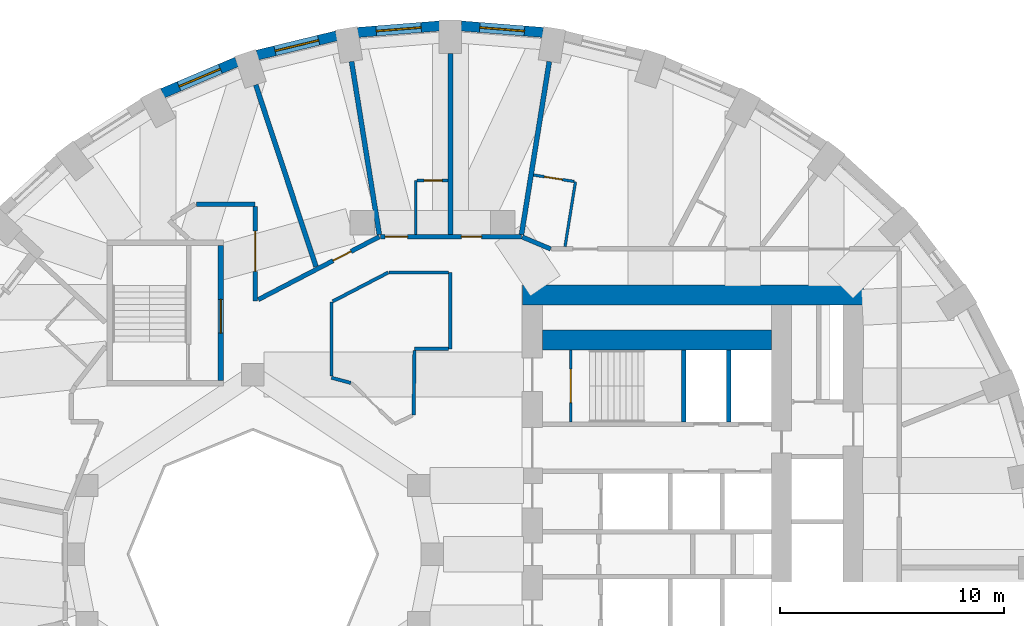
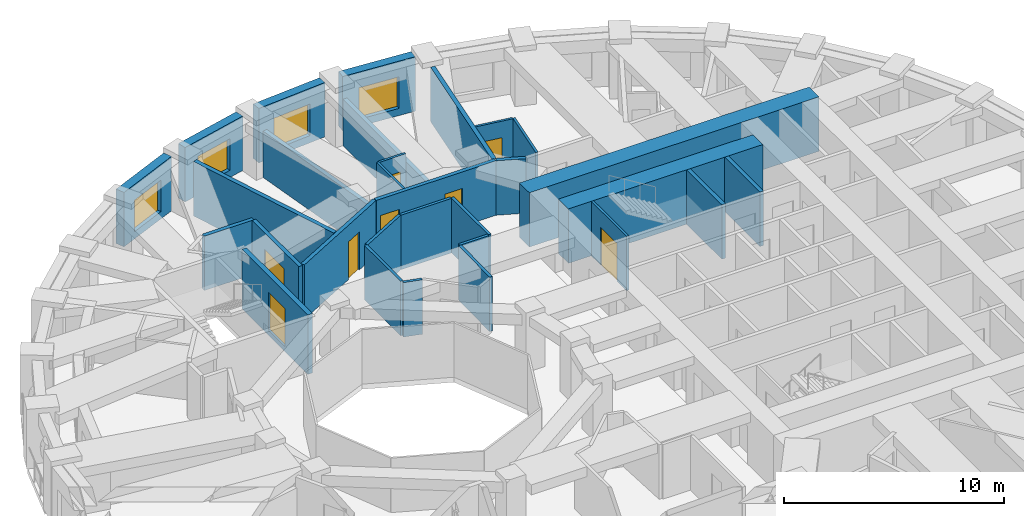
# One storey, part 8 of 13: 30 walls, 8 doors, 4 windows, 12 openings.
"""IFC4 building model written with IfcOpenShell, lengths in metres."""

from ifc_helpers import new_model, si_unit, direction, frame, frame_2d, origin, place, context, subcontext, project, spatial, rectangle, extrude, material, layer, layer_set, type_object, element, fill, save


model = new_model("IFC4")

# Units and contexts
model_context = context("Model", 3, precision=1e-05, world=origin(), true_north=direction((0.0, 1.0)))
body_context = subcontext(model_context, "Body", "Model", "MODEL_VIEW")
ifc_project = project(units=[si_unit("LENGTHUNIT", "METRE"), si_unit("AREAUNIT", "SQUARE_METRE"), si_unit("VOLUMEUNIT", "CUBIC_METRE"), si_unit("PLANEANGLEUNIT", "RADIAN"), si_unit("MASSUNIT", "GRAM", prefix="KILO")], contexts=[model_context])

# Site, building, storey
site_placement = place(None, origin())
site = spatial("IfcSite", under=ifc_project, at=site_placement, CompositionType="ELEMENT")
building_placement = place(site_placement, origin())
building = spatial("IfcBuilding", under=site, at=building_placement, Name="Taillehof Tower", CompositionType="ELEMENT")
storey_placement = place(building_placement, frame((0.0, 0.0, 108.699951171875)))
storey = spatial("IfcBuildingStorey", under=building, at=storey_placement, Name="L30", CompositionType="ELEMENT", Elevation=108.699951171875)

# Wall, opening, window
ifc_material_1 = material(Name="Brick masonry", Category="masonry")
ifc_layer_1 = layer(ifc_material_1, 0.449951171875)
ifc_layer_set_1 = layer_set([ifc_layer_1], Name="Brick infill wall 450")
wall_type_1 = type_object("IfcWallType", Name="Brick infill wall 450", PredefinedType="SOLIDWALL", material=ifc_layer_set_1)
wall_1_placement = place(storey_placement, frame((4.926513671875, 23.24658203125, 0.0), z_axis=(0.0, 0.0, 1.0), x_axis=(-0.996862216754, 0.079156306178, 0.0)))
wall_1 = element("IfcWall", 1, at=wall_1_placement, inside=storey, type_object=wall_type_1, Name="Brick wall L30 bay 9", PredefinedType="SOLIDWALL", context=body_context, shape_type="SweptSolid", body=[
    extrude(rectangle(XDim=3.657958984375, YDim=0.449951171875, at=frame_2d((1.8291015625, 0.0))), origin(), (0.0, 0.0, 1.0), 3.02001953125),
])
opening_1_placement = place(wall_1_placement, frame((0.8291015625, 0.0, 0.39990234375)))
opening_1 = element("IfcOpeningElement", 2, at=opening_1_placement, cuts=wall_1, Name="Opening W2", PredefinedType="OPENING", context=body_context, shape_type="SweptSolid", body=[
    extrude(rectangle(XDim=2.0, YDim=1.75, at=frame_2d((1.0, 0.875))), frame((0.0, 0.23486328125, 0.0), z_axis=(0.0, -1.0, 0.0), x_axis=(1.0, 0.0, 0.0)), (0.0, 0.0, 1.0), 0.469970703125),
])
ifc_material_2 = material(Name="Aluminium window frame with clear double glazing", Category="aluminium")
window_type = type_object("IfcWindowType", Name="Deep-set window 2000x1750", PartitioningType="SINGLE_PANEL", PredefinedType="WINDOW", material=ifc_material_2)
window_1_placement = place(opening_1_placement, origin())
window_1 = element("IfcWindow", 3, at=window_1_placement, inside=storey, type_object=window_type, Name="W2", OverallHeight=1.75, OverallWidth=2.0, PartitioningType="SINGLE_PANEL", PredefinedType="WINDOW", context=body_context, shape_type="SweptSolid", body=[
    extrude(rectangle(XDim=2.0, YDim=1.75, at=frame_2d((1.0, 0.875))), frame((0.0, 0.034912109375, 0.0), z_axis=(0.0, -1.0, 0.0), x_axis=(1.0, 0.0, 0.0)), (0.0, 0.0, 1.0), 0.06005859375),
])
fill(opening_1, window_1)

wall_2_placement = place(storey_placement, frame((0.31982421875, 23.5361328125, 0.0), z_axis=(0.0, 0.0, 1.0), x_axis=(-0.996862216754, -0.079156306178, 0.0)))
wall_2 = element("IfcWall", 4, at=wall_2_placement, inside=storey, type_object=wall_type_1, Name="Brick wall L30 bay 10", PredefinedType="SOLIDWALL", context=body_context, shape_type="SweptSolid", body=[
    extrude(rectangle(XDim=3.657958984375, YDim=0.449951171875, at=frame_2d((1.8291015625, 0.0))), origin(), (0.0, 0.0, 1.0), 3.02001953125),
])
opening_2_placement = place(wall_2_placement, frame((0.8291015625, 0.0, 0.39990234375)))
opening_2 = element("IfcOpeningElement", 5, at=opening_2_placement, cuts=wall_2, Name="Opening W2", PredefinedType="OPENING", context=body_context, shape_type="SweptSolid", body=[
    extrude(rectangle(XDim=2.0, YDim=1.75, at=frame_2d((1.0, 0.875))), frame((0.0, 0.23486328125, 0.0), z_axis=(0.0, -1.0, 0.0), x_axis=(1.0, 0.0, 0.0)), (0.0, 0.0, 1.0), 0.469970703125),
])
window_2_placement = place(opening_2_placement, origin())
window_2 = element("IfcWindow", 6, at=window_2_placement, inside=storey, type_object=window_type, Name="W2", OverallHeight=1.75, OverallWidth=2.0, PartitioningType="SINGLE_PANEL", PredefinedType="WINDOW", context=body_context, shape_type="SweptSolid", body=[
    extrude(rectangle(XDim=2.0, YDim=1.75, at=frame_2d((1.0, 0.875))), frame((0.0, 0.034912109375, 0.0), z_axis=(0.0, -1.0, 0.0), x_axis=(1.0, 0.0, 0.0)), (0.0, 0.0, 1.0), 0.06005859375),
])
fill(opening_2, window_2)

wall_3_placement = place(storey_placement, frame((-4.274658203125, 23.094482421875, 0.0), z_axis=(0.0, 0.0, 1.0), x_axis=(-0.971667603162, -0.236351579148, 0.0)))
wall_3 = element("IfcWall", 7, at=wall_3_placement, inside=storey, type_object=wall_type_1, Name="Brick wall L30 bay 11", PredefinedType="SOLIDWALL", context=body_context, shape_type="SweptSolid", body=[
    extrude(rectangle(XDim=3.635009765625, YDim=0.449951171875, at=frame_2d((1.8173828125, 0.0))), origin(), (0.0, 0.0, 1.0), 3.02001953125),
])
opening_3_placement = place(wall_3_placement, frame((0.8173828125, 0.0, 0.39990234375)))
opening_3 = element("IfcOpeningElement", 8, at=opening_3_placement, cuts=wall_3, Name="Opening W2", PredefinedType="OPENING", context=body_context, shape_type="SweptSolid", body=[
    extrude(rectangle(XDim=2.0, YDim=1.75, at=frame_2d((1.0, 0.875))), frame((0.0, 0.23486328125, 0.0), z_axis=(0.0, -1.0, 0.0), x_axis=(1.0, 0.0, 0.0)), (0.0, 0.0, 1.0), 0.469970703125),
])
window_3_placement = place(opening_3_placement, origin())
window_3 = element("IfcWindow", 9, at=window_3_placement, inside=storey, type_object=window_type, Name="W2", OverallHeight=1.75, OverallWidth=2.0, PartitioningType="SINGLE_PANEL", PredefinedType="WINDOW", context=body_context, shape_type="SweptSolid", body=[
    extrude(rectangle(XDim=2.0, YDim=1.75, at=frame_2d((1.0, 0.875))), frame((0.0, 0.034912109375, 0.0), z_axis=(0.0, -1.0, 0.0), x_axis=(1.0, 0.0, 0.0)), (0.0, 0.0, 1.0), 0.06005859375),
])
fill(opening_3, window_3)

wall_4_placement = place(storey_placement, frame((-8.718017578125, 21.93359375, 0.0), z_axis=(0.0, 0.0, 1.0), x_axis=(-0.920879975612, -0.389846213932, 0.0)))
wall_4 = element("IfcWall", 10, at=wall_4_placement, inside=storey, type_object=wall_type_1, Name="Brick wall L30 bay 12", PredefinedType="SOLIDWALL", context=body_context, shape_type="SweptSolid", body=[
    extrude(rectangle(XDim=3.591552734375, YDim=0.449951171875, at=frame_2d((1.7958984375, 0.0))), origin(), (0.0, 0.0, 1.0), 3.02001953125),
])
opening_4_placement = place(wall_4_placement, frame((0.795654296875, 0.0, 0.39990234375)))
opening_4 = element("IfcOpeningElement", 11, at=opening_4_placement, cuts=wall_4, Name="Opening W2", PredefinedType="OPENING", context=body_context, shape_type="SweptSolid", body=[
    extrude(rectangle(XDim=2.0, YDim=1.75, at=frame_2d((1.0, 0.875))), frame((0.0, 0.23486328125, 0.0), z_axis=(0.0, -1.0, 0.0), x_axis=(1.0, 0.0, 0.0)), (0.0, 0.0, 1.0), 0.469970703125),
])
window_4_placement = place(opening_4_placement, origin())
window_4 = element("IfcWindow", 12, at=window_4_placement, inside=storey, type_object=window_type, Name="W2", OverallHeight=1.75, OverallWidth=2.0, PartitioningType="SINGLE_PANEL", PredefinedType="WINDOW", context=body_context, shape_type="SweptSolid", body=[
    extrude(rectangle(XDim=2.0, YDim=1.75, at=frame_2d((1.0, 0.875))), frame((0.0, 0.034912109375, 0.0), z_axis=(0.0, -1.0, 0.0), x_axis=(1.0, 0.0, 0.0)), (0.0, 0.0, 1.0), 0.06005859375),
])
fill(opening_4, window_4)

# Wall
ifc_material_3 = material(Name="Gypsum board on steel studs, two layers each side", Category="steel")
ifc_layer_2 = layer(ifc_material_3, 0.199951171875)
ifc_layer_set_2 = layer_set([ifc_layer_2], Name="Compartment wall corridor 200")
wall_type_2 = type_object("IfcWallType", Name="Compartment wall corridor 200", PredefinedType="PARTITIONING", material=ifc_layer_set_2)
wall_5_placement = place(storey_placement, frame((-10.508544921875, 15.60009765625, 0.0), z_axis=(0.0, 0.0, 1.0), x_axis=(1.0, 0.0, 0.0)))
element("IfcWall", 13, at=wall_5_placement, inside=storey, type_object=wall_type_2, Name="Compartment wall", PredefinedType="PARTITIONING", context=body_context, shape_type="SweptSolid", body=[
    extrude(rectangle(XDim=2.608642578125, YDim=0.199951171875, at=frame_2d((1.30419921875, 0.0))), origin(), (0.0, 0.0, 1.0), 3.02001953125),
])

# Wall, opening, door
wall_6_placement = place(storey_placement, frame((-7.89990234375, 15.5, 0.0), z_axis=(0.0, 0.0, 1.0), x_axis=(0.0, -1.0, 0.0)))
wall_6 = element("IfcWall", 14, at=wall_6_placement, inside=storey, type_object=wall_type_2, Name="Compartment wall", PredefinedType="PARTITIONING", context=body_context, shape_type="SweptSolid", body=[
    extrude(rectangle(XDim=4.22998046875, YDim=0.199951171875, at=frame_2d((2.114990234375, 0.0))), origin(), (0.0, 0.0, 1.0), 3.02001953125),
])
opening_5_placement = place(wall_6_placement, frame((1.1044921875, 0.0, 0.0)))
opening_5 = element("IfcOpeningElement", 15, at=opening_5_placement, cuts=wall_6, Name="Opening D3048", PredefinedType="OPENING", context=body_context, shape_type="SweptSolid", body=[
    extrude(rectangle(XDim=1.800048828125, YDim=2.10009765625, at=frame_2d((0.89990234375, 1.050048828125))), frame((0.0, 0.10986328125, 0.0), z_axis=(0.0, -1.0, 0.0), x_axis=(1.0, 0.0, 0.0)), (0.0, 0.0, 1.0), 0.219970703125),
])
ifc_material_4 = material(Name="Timber door leaf in steel frame", Category="steel")
door_type_1 = type_object("IfcDoorType", Name="Lounge and meeting room double door EI 30 1800 x 2100", OperationType="SINGLE_SWING_LEFT", PredefinedType="DOOR", material=ifc_material_4)
door_1_placement = place(opening_5_placement, origin())
door_1 = element("IfcDoor", 16, at=door_1_placement, inside=storey, type_object=door_type_1, Name="D3048", OperationType="DOUBLE_DOOR_SINGLE_SWING", OverallHeight=2.10009765625, OverallWidth=1.800048828125, PredefinedType="DOOR", context=body_context, shape_type="SweptSolid", body=[
    extrude(rectangle(XDim=1.800048828125, YDim=2.10009765625, at=frame_2d((0.89990234375, 1.050048828125))), frame((0.0, 0.02490234375, 0.0), z_axis=(0.0, -1.0, 0.0), x_axis=(1.0, 0.0, 0.0)), (0.0, 0.0, 1.0), 0.050048828125),
])
fill(opening_5, door_1)

wall_7_placement = place(storey_placement, frame((-7.75732421875, 11.34423828125, 0.0), z_axis=(0.0, 0.0, 1.0), x_axis=(0.887263483993, 0.461262951008, 0.0)))
wall_7 = element("IfcWall", 17, at=wall_7_placement, inside=storey, type_object=wall_type_2, Name="Compartment wall", PredefinedType="PARTITIONING", context=body_context, shape_type="SweptSolid", body=[
    extrude(rectangle(XDim=6.078857421875, YDim=0.199951171875, at=frame_2d((3.03955078125, 0.0))), origin(), (0.0, 0.0, 1.0), 3.02001953125),
])
opening_6_placement = place(wall_7_placement, frame((3.75048828125, 0.0, 0.0)))
opening_6 = element("IfcOpeningElement", 18, at=opening_6_placement, cuts=wall_7, Name="Opening D3047", PredefinedType="OPENING", context=body_context, shape_type="SweptSolid", body=[
    extrude(rectangle(XDim=0.89990234375, YDim=2.10009765625, at=frame_2d((0.449951171875, 1.050048828125))), frame((0.0, 0.10986328125, 0.0), z_axis=(0.0, -1.0, 0.0), x_axis=(1.0, 0.0, 0.0)), (0.0, 0.0, 1.0), 0.219970703125),
])
ifc_material_5 = material(Name="Timber door leaf in steel frame", Category="steel")
door_type_2 = type_object("IfcDoorType", Name="Service room door EI 30 900 x 2100", OperationType="SINGLE_SWING_LEFT", PredefinedType="DOOR", material=ifc_material_5)
door_2_placement = place(opening_6_placement, origin())
door_2 = element("IfcDoor", 19, at=door_2_placement, inside=storey, type_object=door_type_2, Name="D3047", OperationType="SINGLE_SWING_LEFT", OverallHeight=2.10009765625, OverallWidth=0.89990234375, PredefinedType="DOOR", context=body_context, shape_type="SweptSolid", body=[
    extrude(rectangle(XDim=0.89990234375, YDim=2.10009765625, at=frame_2d((0.449951171875, 1.050048828125))), frame((0.0, 0.02490234375, 0.0), z_axis=(0.0, -1.0, 0.0), x_axis=(1.0, 0.0, 0.0)), (0.0, 0.0, 1.0), 0.050048828125),
])
fill(opening_6, door_2)

# Wall, openings, doors
wall_8_placement = place(storey_placement, frame((-2.32373046875, 14.148193359375, 0.0), z_axis=(0.0, 0.0, 1.0), x_axis=(1.0, 0.0, 0.0)))
wall_8 = element("IfcWall", 20, at=wall_8_placement, inside=storey, type_object=wall_type_2, Name="Compartment wall", PredefinedType="PARTITIONING", context=body_context, shape_type="SweptSolid", body=[
    extrude(rectangle(XDim=6.28759765625, YDim=0.199951171875, at=frame_2d((3.143798828125, 0.0))), origin(), (0.0, 0.0, 1.0), 3.02001953125),
])
opening_7_placement = place(wall_8_placement, frame((3.61669921875, 0.0, 0.0)))
opening_7 = element("IfcOpeningElement", 21, at=opening_7_placement, cuts=wall_8, Name="Opening D3044", PredefinedType="OPENING", context=body_context, shape_type="SweptSolid", body=[
    extrude(rectangle(XDim=0.89990234375, YDim=2.10009765625, at=frame_2d((0.449951171875, 1.050048828125))), frame((0.0, 0.10986328125, 0.0), z_axis=(0.0, -1.0, 0.0), x_axis=(1.0, 0.0, 0.0)), (0.0, 0.0, 1.0), 0.219970703125),
])
opening_8_placement = place(wall_8_placement, frame((0.219970703125, 0.0, 0.0)))
opening_8 = element("IfcOpeningElement", 22, at=opening_8_placement, cuts=wall_8, Name="Opening D3045", PredefinedType="OPENING", context=body_context, shape_type="SweptSolid", body=[
    extrude(rectangle(XDim=1.0, YDim=2.10009765625, at=frame_2d((0.5, 1.050048828125))), frame((0.0, 0.10986328125, 0.0), z_axis=(0.0, -1.0, 0.0), x_axis=(1.0, 0.0, 0.0)), (0.0, 0.0, 1.0), 0.219970703125),
])
ifc_material_6 = material(Name="Timber door leaf in steel frame", Category="steel")
door_type_3 = type_object("IfcDoorType", Name="Guest room door EI 30 1000 x 2100", OperationType="SINGLE_SWING_LEFT", PredefinedType="DOOR", material=ifc_material_6)
door_3_placement = place(opening_8_placement, origin())
door_3 = element("IfcDoor", 23, at=door_3_placement, inside=storey, type_object=door_type_3, Name="D3045", OperationType="SINGLE_SWING_LEFT", OverallHeight=2.10009765625, OverallWidth=1.0, PredefinedType="DOOR", context=body_context, shape_type="SweptSolid", body=[
    extrude(rectangle(XDim=1.0, YDim=2.10009765625, at=frame_2d((0.5, 1.050048828125))), frame((0.0, 0.02490234375, 0.0), z_axis=(0.0, -1.0, 0.0), x_axis=(1.0, 0.0, 0.0)), (0.0, 0.0, 1.0), 0.050048828125),
])
fill(opening_8, door_3)
door_4_placement = place(opening_7_placement, origin())
door_4 = element("IfcDoor", 24, at=door_4_placement, inside=storey, type_object=door_type_2, Name="D3044", OperationType="SINGLE_SWING_LEFT", OverallHeight=2.10009765625, OverallWidth=0.89990234375, PredefinedType="DOOR", context=body_context, shape_type="SweptSolid", body=[
    extrude(rectangle(XDim=0.89990234375, YDim=2.10009765625, at=frame_2d((0.449951171875, 1.050048828125))), frame((0.0, 0.02490234375, 0.0), z_axis=(0.0, -1.0, 0.0), x_axis=(1.0, 0.0, 0.0)), (0.0, 0.0, 1.0), 0.050048828125),
])
fill(opening_7, door_4)

# Walls
wall_9_placement = place(storey_placement, frame((4.00048828125, 14.132568359375, 0.0), z_axis=(0.0, 0.0, 1.0), x_axis=(0.921370144432, -0.388686322051, 0.0)))
element("IfcWall", 25, at=wall_9_placement, inside=storey, type_object=wall_type_2, Name="Compartment wall", PredefinedType="PARTITIONING", context=body_context, shape_type="SweptSolid", body=[
    extrude(rectangle(XDim=1.369873046875, YDim=0.199951171875, at=frame_2d((0.68505859375, 0.0))), origin(), (0.0, 0.0, 1.0), 3.02001953125),
])
ifc_material_7 = material(Name="Gypsum board on double steel studs with mineral wool", Category="steel")
ifc_layer_3 = layer(ifc_material_7, 0.219970703125)
ifc_layer_set_3 = layer_set([ifc_layer_3], Name="Compartment wall guest room 220")
wall_type_3 = type_object("IfcWallType", Name="Compartment wall guest room 220", PredefinedType="PARTITIONING", material=ifc_layer_set_3)
wall_10_placement = place(storey_placement, frame((5.20458984375, 21.9501953125, 0.0), z_axis=(0.0, 0.0, 1.0), x_axis=(-0.158499016873, -0.987359135092, 0.0)))
element("IfcWall", 26, at=wall_10_placement, inside=storey, type_object=wall_type_3, Name="Compartment wall", PredefinedType="PARTITIONING", context=body_context, shape_type="SweptSolid", body=[
    extrude(rectangle(XDim=7.807861328125, YDim=0.219970703125, at=frame_2d((3.90380859375, 0.0))), origin(), (0.0, 0.0, 1.0), 3.02001953125),
])
wall_11_placement = place(storey_placement, frame((0.800048828125, 22.300048828125, 0.0), z_axis=(0.0, 0.0, 1.0), x_axis=(0.0, -1.0, 0.0)))
element("IfcWall", 27, at=wall_11_placement, inside=storey, type_object=wall_type_3, Name="Compartment wall", PredefinedType="PARTITIONING", context=body_context, shape_type="SweptSolid", body=[
    extrude(rectangle(XDim=8.0517578125, YDim=0.219970703125, at=frame_2d((4.02587890625, 0.0))), origin(), (0.0, 0.0, 1.0), 2.570068359375),
])
wall_12_placement = place(storey_placement, frame((-3.604736328125, 21.9501953125, 0.0), z_axis=(0.0, 0.0, 1.0), x_axis=(0.158529499426, -0.987354241299, 0.0)))
element("IfcWall", 28, at=wall_12_placement, inside=storey, type_object=wall_type_3, Name="Compartment wall", PredefinedType="PARTITIONING", context=body_context, shape_type="SweptSolid", body=[
    extrude(rectangle(XDim=7.807861328125, YDim=0.219970703125, at=frame_2d((3.90380859375, 0.0))), origin(), (0.0, 0.0, 1.0), 2.570068359375),
])
wall_13_placement = place(storey_placement, frame((-7.873779296875, 20.911865234375, 0.0), z_axis=(0.0, 0.0, 1.0), x_axis=(0.314561749761, -0.949237012335, 0.0)))
element("IfcWall", 29, at=wall_13_placement, inside=storey, type_object=wall_type_3, Name="Compartment wall", PredefinedType="PARTITIONING", context=body_context, shape_type="SweptSolid", body=[
    extrude(rectangle(XDim=8.53125, YDim=0.219970703125, at=frame_2d((4.265625, 0.0))), origin(), (0.0, 0.0, 1.0), 3.02001953125),
])
ifc_material_8 = material(Name="Gypsum board on steel studs, two layers each side", Category="steel")
ifc_layer_4 = layer(ifc_material_8, 0.14990234375)
ifc_layer_set_4 = layer_set([ifc_layer_4], Name="Compartment wall service room 150")
wall_type_4 = type_object("IfcWallType", Name="Compartment wall service room 150", PredefinedType="PARTITIONING", material=ifc_layer_set_4)
wall_14_placement = place(storey_placement, frame((0.800048828125, 12.548095703125, 0.0), z_axis=(0.0, 0.0, 1.0), x_axis=(0.0, -1.0, 0.0)))
element("IfcWall", 30, at=wall_14_placement, inside=storey, type_object=wall_type_4, Name="Compartment wall", PredefinedType="PARTITIONING", context=body_context, shape_type="SweptSolid", body=[
    extrude(rectangle(XDim=3.398193359375, YDim=0.14990234375, at=frame_2d((1.69921875, 0.0))), origin(), (0.0, 0.0, 1.0), 3.02001953125),
])
wall_15_placement = place(storey_placement, frame((0.719970703125, 9.14990234375, 0.0), z_axis=(0.0, 0.0, 1.0), x_axis=(-1.0, 0.0, 0.0)))
element("IfcWall", 31, at=wall_15_placement, inside=storey, type_object=wall_type_4, Name="Compartment wall", PredefinedType="PARTITIONING", context=body_context, shape_type="SweptSolid", body=[
    extrude(rectangle(XDim=1.52001953125, YDim=0.14990234375, at=frame_2d((0.760009765625, 0.0))), origin(), (0.0, 0.0, 1.0), 3.02001953125),
])
wall_16_placement = place(storey_placement, frame((-0.801025390625, 9.06982421875, 0.0), z_axis=(0.0, 0.0, 1.0), x_axis=(-0.012779053564, -0.999918344561, 0.0)))
element("IfcWall", 32, at=wall_16_placement, inside=storey, type_object=wall_type_4, Name="Compartment wall", PredefinedType="PARTITIONING", context=body_context, shape_type="SweptSolid", body=[
    extrude(rectangle(XDim=2.86572265625, YDim=0.14990234375, at=frame_2d((1.432861328125, 0.0))), origin(), (0.0, 0.0, 1.0), 3.02001953125),
])
wall_17_placement = place(storey_placement, frame((-3.638671875, 7.631103515625, 0.0), z_axis=(0.0, 0.0, 1.0), x_axis=(-0.965879594242, 0.258991523853, 0.0)))
element("IfcWall", 33, at=wall_17_placement, inside=storey, type_object=wall_type_4, Name="Compartment wall", PredefinedType="PARTITIONING", context=body_context, shape_type="SweptSolid", body=[
    extrude(rectangle(XDim=0.891845703125, YDim=0.14990234375, at=frame_2d((0.44580078125, 0.0))), origin(), (0.0, 0.0, 1.0), 3.02001953125),
])
wall_18_placement = place(storey_placement, frame((-4.5, 7.942138671875, 0.0), z_axis=(0.0, 0.0, 1.0), x_axis=(0.0, 1.0, 0.0)))
element("IfcWall", 34, at=wall_18_placement, inside=storey, type_object=wall_type_4, Name="Compartment wall", PredefinedType="PARTITIONING", context=body_context, shape_type="SweptSolid", body=[
    extrude(rectangle(XDim=3.292236328125, YDim=0.14990234375, at=frame_2d((1.64599609375, 0.0))), origin(), (0.0, 0.0, 1.0), 3.02001953125),
])
wall_19_placement = place(storey_placement, frame((-4.446533203125, 11.26220703125, 0.0), z_axis=(0.0, 0.0, 1.0), x_axis=(0.887294207503, 0.461203847915, 0.0)))
element("IfcWall", 35, at=wall_19_placement, inside=storey, type_object=wall_type_4, Name="Compartment wall", PredefinedType="PARTITIONING", context=body_context, shape_type="SweptSolid", body=[
    extrude(rectangle(XDim=2.7880859375, YDim=0.14990234375, at=frame_2d((1.39404296875, 0.0))), origin(), (0.0, 0.0, 1.0), 3.02001953125),
])
wall_20_placement = place(storey_placement, frame((-1.9326171875, 12.548095703125, 0.0), z_axis=(0.0, 0.0, 1.0), x_axis=(1.0, 0.0, 0.0)))
element("IfcWall", 36, at=wall_20_placement, inside=storey, type_object=wall_type_4, Name="Compartment wall", PredefinedType="PARTITIONING", context=body_context, shape_type="SweptSolid", body=[
    extrude(rectangle(XDim=2.652587890625, YDim=0.14990234375, at=frame_2d((1.326171875, 0.0))), origin(), (0.0, 0.0, 1.0), 3.02001953125),
])
ifc_material_9 = material(Name="Concrete C80/95", Category="concrete")
ifc_layer_5 = layer(ifc_material_9, 0.89990234375)
ifc_layer_set_5 = layer_set([ifc_layer_5], Name="Core wall C80/95 900")
wall_type_5 = type_object("IfcWallType", Name="Core wall C80/95 900", PredefinedType="SHEAR", material=ifc_layer_set_5)
wall_21_placement = place(storey_placement, frame((4.0, 11.550048828125, 0.0), z_axis=(0.0, 0.0, 1.0), x_axis=(1.0, 0.0, 0.0)))
element("IfcWall", 37, at=wall_21_placement, inside=storey, type_object=wall_type_5, Name="Core wall CW03", PredefinedType="SHEAR", context=body_context, shape_type="SweptSolid", body=[
    extrude(rectangle(XDim=15.199951171875, YDim=0.89990234375, at=frame_2d((7.60009765625, 0.0))), origin(), (0.0, 0.0, 1.0), 3.02001953125),
])
wall_22_placement = place(storey_placement, frame((4.89990234375, 9.550048828125, 0.0), z_axis=(0.0, 0.0, 1.0), x_axis=(1.0, 0.0, 0.0)))
element("IfcWall", 38, at=wall_22_placement, inside=storey, type_object=wall_type_5, Name="Core wall CW06", PredefinedType="SHEAR", context=body_context, shape_type="SweptSolid", body=[
    extrude(rectangle(XDim=10.2001953125, YDim=0.89990234375, at=frame_2d((5.10009765625, 0.0))), origin(), (0.0, 0.0, 1.0), 3.02001953125),
])
ifc_material_10 = material(Name="Gypsum board on steel studs, moisture resistant", Category="steel")
ifc_layer_6 = layer(ifc_material_10, 0.1201171875)
ifc_layer_set_6 = layer_set([ifc_layer_6], Name="En-suite wall 120")
wall_type_6 = type_object("IfcWallType", Name="En-suite wall 120", PredefinedType="PARTITIONING", material=ifc_layer_set_6)
wall_23_placement = place(storey_placement, frame((5.90576171875, 13.7001953125, 0.0), z_axis=(0.0, 0.0, 1.0), x_axis=(0.158509986532, 0.98735737409, 0.0)))
element("IfcWall", 39, at=wall_23_placement, inside=storey, type_object=wall_type_6, Name="En-suite wall", PredefinedType="PARTITIONING", context=body_context, shape_type="SweptSolid", body=[
    extrude(rectangle(XDim=2.9326171875, YDim=0.1201171875, at=frame_2d((1.46630859375, 0.0))), origin(), (0.0, 0.0, 1.0), 3.02001953125),
])
wall_24_placement = place(storey_placement, frame((-0.75, 14.248291015625, 0.0), z_axis=(0.0, 0.0, 1.0), x_axis=(0.0, 1.0, 0.0)))
element("IfcWall", 40, at=wall_24_placement, inside=storey, type_object=wall_type_6, Name="En-suite wall", PredefinedType="PARTITIONING", context=body_context, shape_type="SweptSolid", body=[
    extrude(rectangle(XDim=2.39990234375, YDim=0.1201171875, at=frame_2d((1.199951171875, 0.0))), origin(), (0.0, 0.0, 1.0), 3.02001953125),
])

# Wall, opening, door
wall_25_placement = place(storey_placement, frame((6.311279296875, 16.605224609375, 0.0), z_axis=(0.0, 0.0, 1.0), x_axis=(-0.987336342922, 0.158640934018, 0.0)))
wall_25 = element("IfcWall", 41, at=wall_25_placement, inside=storey, type_object=wall_type_6, Name="En-suite wall", PredefinedType="PARTITIONING", context=body_context, shape_type="SweptSolid", body=[
    extrude(rectangle(XDim=1.829833984375, YDim=0.1201171875, at=frame_2d((0.9150390625, 0.0))), origin(), (0.0, 0.0, 1.0), 3.02001953125),
])
opening_9_placement = place(wall_25_placement, frame((0.539794921875, 0.0, 0.0)))
opening_9 = element("IfcOpeningElement", 42, at=opening_9_placement, cuts=wall_25, Name="Opening D3043", PredefinedType="OPENING", context=body_context, shape_type="SweptSolid", body=[
    extrude(rectangle(XDim=0.800048828125, YDim=2.10009765625, at=frame_2d((0.39990234375, 1.050048828125))), frame((0.0, 0.070068359375, 0.0), z_axis=(0.0, -1.0, 0.0), x_axis=(1.0, 0.0, 0.0)), (0.0, 0.0, 1.0), 0.14013671875),
])
ifc_material_11 = material(Name="Timber door leaf in steel frame", Category="steel")
door_type_4 = type_object("IfcDoorType", Name="En-suite door 800 x 2100", OperationType="SINGLE_SWING_LEFT", PredefinedType="DOOR", material=ifc_material_11)
door_5_placement = place(opening_9_placement, origin())
door_5 = element("IfcDoor", 43, at=door_5_placement, inside=storey, type_object=door_type_4, Name="D3043", OperationType="SINGLE_SWING_LEFT", OverallHeight=2.10009765625, OverallWidth=0.800048828125, PredefinedType="DOOR", context=body_context, shape_type="SweptSolid", body=[
    extrude(rectangle(XDim=0.800048828125, YDim=2.10009765625, at=frame_2d((0.39990234375, 1.050048828125))), frame((0.0, 0.02490234375, 0.0), z_axis=(0.0, -1.0, 0.0), x_axis=(1.0, 0.0, 0.0)), (0.0, 0.0, 1.0), 0.050048828125),
])
fill(opening_9, door_5)

wall_26_placement = place(storey_placement, frame((-0.68994140625, 16.648193359375, 0.0), z_axis=(0.0, 0.0, 1.0), x_axis=(1.0, 0.0, 0.0)))
wall_26 = element("IfcWall", 44, at=wall_26_placement, inside=storey, type_object=wall_type_6, Name="En-suite wall", PredefinedType="PARTITIONING", context=body_context, shape_type="SweptSolid", body=[
    extrude(rectangle(XDim=1.3798828125, YDim=0.1201171875, at=frame_2d((0.68994140625, 0.0))), origin(), (0.0, 0.0, 1.0), 3.02001953125),
])
opening_10_placement = place(wall_26_placement, frame((0.31494140625, 0.0, 0.0)))
opening_10 = element("IfcOpeningElement", 45, at=opening_10_placement, cuts=wall_26, Name="Opening D3046", PredefinedType="OPENING", context=body_context, shape_type="SweptSolid", body=[
    extrude(rectangle(XDim=0.800048828125, YDim=2.10009765625, at=frame_2d((0.39990234375, 1.050048828125))), frame((0.0, 0.070068359375, 0.0), z_axis=(0.0, -1.0, 0.0), x_axis=(1.0, 0.0, 0.0)), (0.0, 0.0, 1.0), 0.14013671875),
])
door_6_placement = place(opening_10_placement, origin())
door_6 = element("IfcDoor", 46, at=door_6_placement, inside=storey, type_object=door_type_4, Name="D3046", OperationType="SINGLE_SWING_RIGHT", OverallHeight=2.10009765625, OverallWidth=0.800048828125, PredefinedType="DOOR", context=body_context, shape_type="SweptSolid", body=[
    extrude(rectangle(XDim=0.800048828125, YDim=2.10009765625, at=frame_2d((0.39990234375, 1.050048828125))), frame((0.0, 0.02490234375, 0.0), z_axis=(0.0, -1.0, 0.0), x_axis=(1.0, 0.0, 0.0)), (0.0, 0.0, 1.0), 0.050048828125),
])
fill(opening_10, door_6)

# Walls
ifc_material_12 = material(Name="Concrete C50/60", Category="concrete")
ifc_layer_7 = layer(ifc_material_12, 0.199951171875)
ifc_layer_set_7 = layer_set([ifc_layer_7], Name="Shaft wall C50/60 200")
wall_type_7 = type_object("IfcWallType", Name="Shaft wall C50/60 200", PredefinedType="SHEAR", material=ifc_layer_set_7)
for number, where, z_axis, x_axis, name in (
    (47, (11.199951171875, 5.89990234375, 0.0), (0.0, 0.0, 1.0), (0.0, 1.0, 0.0), "Shaft wall SW"),
    (48, (13.199951171875, 5.89990234375, 0.0), (0.0, 0.0, 1.0), (0.0, 1.0, 0.0), "Shaft wall SW"),
):
    element("IfcWall", number, at=place(storey_placement, frame(where, z_axis=z_axis, x_axis=x_axis)), inside=storey, type_object=wall_type_7, Name=name, PredefinedType="SHEAR", context=body_context, shape_type="SweptSolid", body=[
        extrude(rectangle(XDim=3.2001953125, YDim=0.199951171875, at=frame_2d((1.60009765625, 0.0))), origin(), (0.0, 0.0, 1.0), 3.02001953125),
    ])

# Wall, opening, door
ifc_material_13 = material(Name="Concrete C50/60", Category="concrete")
ifc_layer_8 = layer(ifc_material_13, 0.1201171875)
ifc_layer_set_8 = layer_set([ifc_layer_8], Name="Stair lobby wall C50/60 120")
wall_type_8 = type_object("IfcWallType", Name="Stair lobby wall C50/60 120", PredefinedType="SHEAR", material=ifc_layer_set_8)
wall_27_placement = place(storey_placement, frame((6.159912109375, 5.89990234375, 0.0), z_axis=(0.0, 0.0, 1.0), x_axis=(0.0, 1.0, 0.0)))
wall_27 = element("IfcWall", 49, at=wall_27_placement, inside=storey, type_object=wall_type_8, Name="Compartment wall SW", PredefinedType="SHEAR", context=body_context, shape_type="SweptSolid", body=[
    extrude(rectangle(XDim=3.2001953125, YDim=0.1201171875, at=frame_2d((1.60009765625, 0.0))), origin(), (0.0, 0.0, 1.0), 3.02001953125),
])
opening_11_placement = place(wall_27_placement, frame((0.85009765625, 0.0, 0.0)))
opening_11 = element("IfcOpeningElement", 50, at=opening_11_placement, cuts=wall_27, Name="Opening D3010", PredefinedType="OPENING", context=body_context, shape_type="SweptSolid", body=[
    extrude(rectangle(XDim=1.5, YDim=2.10009765625, at=frame_2d((0.75, 1.050048828125))), frame((0.0, 0.070068359375, 0.0), z_axis=(0.0, -1.0, 0.0), x_axis=(1.0, 0.0, 0.0)), (0.0, 0.0, 1.0), 0.14013671875),
])
ifc_material_14 = material(Name="Steel-faced fire door", Category="steel")
door_type_5 = type_object("IfcDoorType", Name="Stair door 1500x2100", OperationType="DOUBLE_DOOR_SINGLE_SWING", PredefinedType="DOOR", material=ifc_material_14)
door_7_placement = place(opening_11_placement, origin())
door_7 = element("IfcDoor", 51, at=door_7_placement, inside=storey, type_object=door_type_5, Name="Stair lobby door S1", OperationType="DOUBLE_DOOR_SINGLE_SWING", OverallHeight=2.10009765625, OverallWidth=1.5, PredefinedType="DOOR", context=body_context, shape_type="SweptSolid", body=[
    extrude(rectangle(XDim=1.5, YDim=2.10009765625, at=frame_2d((0.75, 1.050048828125))), frame((0.0, 0.02490234375, 0.0), z_axis=(0.0, -1.0, 0.0), x_axis=(1.0, 0.0, 0.0)), (0.0, 0.0, 1.0), 0.050048828125),
])
fill(opening_11, door_7)

ifc_material_15 = material(Name="Concrete C50/60", Category="concrete")
ifc_layer_9 = layer(ifc_material_15, 0.25)
ifc_layer_set_9 = layer_set([ifc_layer_9], Name="Stair wall C50/60 250")
wall_type_9 = type_object("IfcWallType", Name="Stair wall C50/60 250", PredefinedType="SHEAR", material=ifc_layer_set_9)
wall_28_placement = place(storey_placement, frame((-9.425048828125, 7.75, -0.280029296875), z_axis=(0.0, 0.0, 1.0), x_axis=(0.0, 1.0, 0.0)))
wall_28 = element("IfcWall", 52, at=wall_28_placement, inside=storey, type_object=wall_type_9, Name="Stair wall SC", PredefinedType="SHEAR", context=body_context, shape_type="SweptSolid", body=[
    extrude(rectangle(XDim=6.0, YDim=0.25, at=frame_2d((3.0, 0.0))), origin(), (0.0, 0.0, 1.0), 3.300048828125),
])
opening_12_placement = place(wall_28_placement, frame((2.10009765625, 0.0, 0.280029296875)))
opening_12 = element("IfcOpeningElement", 53, at=opening_12_placement, cuts=wall_28, Name="Opening D3019", PredefinedType="OPENING", context=body_context, shape_type="SweptSolid", body=[
    extrude(rectangle(XDim=1.5, YDim=2.10009765625, at=frame_2d((0.75, 1.050048828125))), frame((0.0, 0.135009765625, 0.0), z_axis=(0.0, -1.0, 0.0), x_axis=(1.0, 0.0, 0.0)), (0.0, 0.0, 1.0), 0.27001953125),
])
door_8_placement = place(opening_12_placement, origin())
door_8 = element("IfcDoor", 54, at=door_8_placement, inside=storey, type_object=door_type_5, Name="Stair door S3", OperationType="DOUBLE_DOOR_SINGLE_SWING", OverallHeight=2.10009765625, OverallWidth=1.5, PredefinedType="DOOR", context=body_context, shape_type="SweptSolid", body=[
    extrude(rectangle(XDim=1.5, YDim=2.10009765625, at=frame_2d((0.75, 1.050048828125))), frame((0.0, 0.02490234375, 0.0), z_axis=(0.0, -1.0, 0.0), x_axis=(1.0, 0.0, 0.0)), (0.0, 0.0, 1.0), 0.050048828125),
])
fill(opening_12, door_8)

save(model, "model.ifc")
